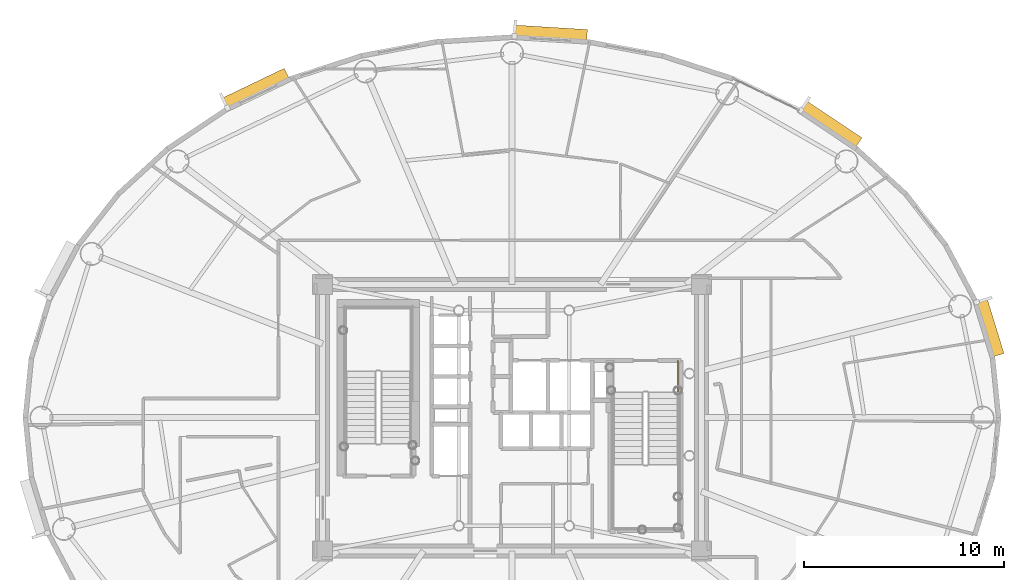
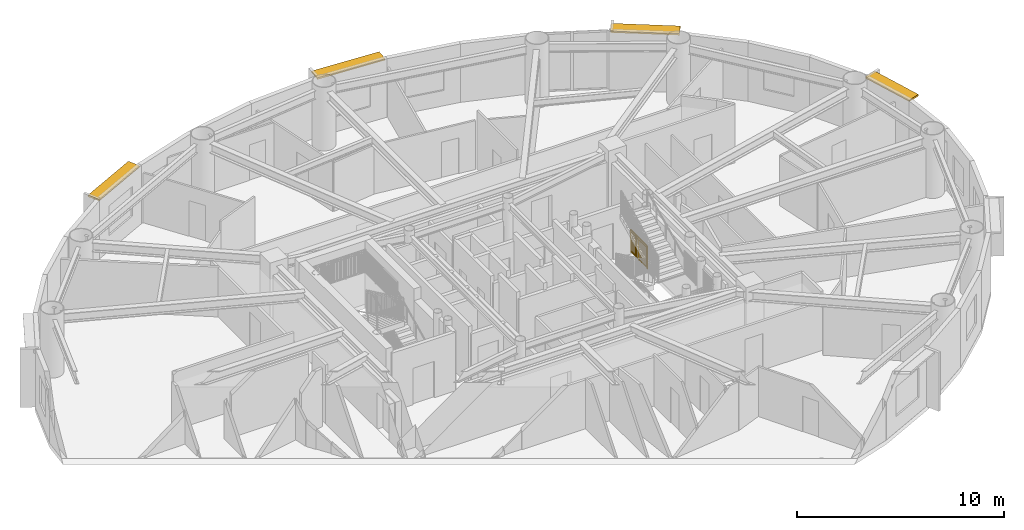
# One storey, part 18 of 18: 4 shading devices, 1 railing.
"""IFC4 building model written with IfcOpenShell, lengths in metres."""

import ifcopenshell
import ifcopenshell.guid

model = None  # the IFC model being written
_history = None  # IfcOwnerHistory: only IFC2X3 demands one
_inside = {}  # id of a spatial element -> (the spatial element, [elements in it])
_under = {}  # id of a project, library or spatial element -> (it, [spatial elements below it])
_declared = {}  # id of a project -> (the project, [libraries it declares])
_typed = {}  # id of a type object -> (the type object, [elements of that type])
_made_of = {}  # id of a material, layer set ... -> (it, [elements and type objects made of it])


def new_model(schema):
    """Start an empty IFC model of exactly this schema.

    Asked for "IFC4X3", IfcOpenShell would pick the latest addendum, in which some entities
    have other attributes; the version numbers below select the first issue.
    IFC2X3 requires an IfcOwnerHistory on every rooted entity: one is made here for all.
    """
    global model, _history
    if schema == "IFC4X3":
        model = ifcopenshell.file(schema_version=(4, 3, 0, 0))
    else:
        model = ifcopenshell.file(schema=schema)
    _inside.clear()
    _under.clear()
    _declared.clear()
    _typed.clear()
    _made_of.clear()
    _history = None
    if model.schema == "IFC2X3":
        org = make("IfcOrganization", Name="unknown")
        user = make(
            "IfcPersonAndOrganization",
            ThePerson=make("IfcPerson", FamilyName="unknown"),
            TheOrganization=org,
        )
        app = make(
            "IfcApplication",
            ApplicationDeveloper=org,
            Version="unknown",
            ApplicationFullName="unknown",
            ApplicationIdentifier="unknown",
        )
        _history = make(
            "IfcOwnerHistory",
            OwningUser=user,
            OwningApplication=app,
            ChangeAction="ADDED",
            CreationDate=0,
        )
    return model


def make(cls, **values):
    """One entity of the class cls with the attributes given. An attribute that is None is left unset."""
    return model.create_entity(
        cls, **{name: value for name, value in values.items() if value is not None}
    )


def rooted(cls, **values):
    """An entity with a GlobalId (a new one), such as an element, a storey or a relation."""
    return make(cls, GlobalId=ifcopenshell.guid.new(), OwnerHistory=_history, **values)


def si_unit(unit_type, name, prefix=None):
    """IfcSIUnit, for example si_unit("LENGTHUNIT", "METRE", prefix="MILLI")."""
    return make("IfcSIUnit", UnitType=unit_type, Prefix=prefix, Name=name)


def assignment(units):
    """IfcUnitAssignment: the units of a project."""
    return None if units is None else make("IfcUnitAssignment", Units=units)


def point(xyz):
    """IfcCartesianPoint."""
    return None if xyz is None else make("IfcCartesianPoint", Coordinates=xyz)


def direction(xyz):
    """IfcDirection."""
    return None if xyz is None else make("IfcDirection", DirectionRatios=xyz)


def frame(location, z_axis=None, x_axis=None):
    """IfcAxis2Placement3D, a coordinate frame: its origin and axes. An axis left out is left unset."""
    return make(
        "IfcAxis2Placement3D",
        Location=point(location),
        Axis=direction(z_axis),
        RefDirection=direction(x_axis),
    )


def frame_2d(location, x_axis=None):
    """IfcAxis2Placement2D, a coordinate frame in the plane: its origin and x axis."""
    return make(
        "IfcAxis2Placement2D", Location=point(location), RefDirection=direction(x_axis)
    )


def origin():
    """The frame at (0, 0, 0) with its axes left unset."""
    return frame((0.0, 0.0, 0.0))


def origin_2d():
    """The frame at (0, 0) in the plane with its x axis left unset."""
    return frame_2d((0.0, 0.0))


def place(relative_to, where):
    """IfcLocalPlacement: puts the frame where relative to a parent placement (None: the world)."""
    return make(
        "IfcLocalPlacement", PlacementRelTo=relative_to, RelativePlacement=where
    )


def context(
    kind, dimensions, precision=None, world=None, true_north=None, identifier=None
):
    """IfcGeometricRepresentationContext, for example the 3D "Model" context."""
    return make(
        "IfcGeometricRepresentationContext",
        ContextIdentifier=identifier,
        ContextType=kind,
        CoordinateSpaceDimension=dimensions,
        Precision=precision,
        WorldCoordinateSystem=world,
        TrueNorth=true_north,
    )


def subcontext(parent, identifier, kind, view, scale=None):
    """IfcGeometricRepresentationSubContext, for example "Body" below "Model"."""
    return make(
        "IfcGeometricRepresentationSubContext",
        ContextIdentifier=identifier,
        ContextType=kind,
        ParentContext=parent,
        TargetScale=scale,
        TargetView=view,
    )


def project(units=None, contexts=None):
    """IfcProject with its units and contexts."""
    return rooted(
        "IfcProject",
        Name="project",
        RepresentationContexts=contexts,
        UnitsInContext=assignment(units),
    )


def spatial(cls, under=None, at=None, **own):
    """A site, building, storey or space (cls), placed at a placement, below another one or the project."""
    s = rooted(cls, ObjectPlacement=at, **own)
    if under is not None:
        _under.setdefault(under.id(), (under, []))[1].append(s)
    return s


def profile(cls, at=None, kind="AREA", **sizes):
    """A parametric profile (cls). Its sizes go by their IFC names, for example OverallWidth=200.0."""
    return make(cls, ProfileType=kind, Position=at, **sizes)


def rectangle(**sizes):
    """IfcRectangleProfileDef."""
    return profile("IfcRectangleProfileDef", **sizes)


def extrude(swept, where, along, depth):
    """IfcExtrudedAreaSolid: the profile swept, set in the frame where, extruded along a direction by depth."""
    return make(
        "IfcExtrudedAreaSolid",
        SweptArea=swept,
        Position=where,
        ExtrudedDirection=direction(along),
        Depth=depth,
    )


def shape(context_of_items, identifier, shape_type, items):
    """IfcShapeRepresentation: the items that make up one representation, for example the "Body"."""
    return make(
        "IfcShapeRepresentation",
        ContextOfItems=context_of_items,
        RepresentationIdentifier=identifier,
        RepresentationType=shape_type,
        Items=items,
    )


def source(mapping_origin, context_of_items, identifier, shape_type, items):
    """IfcRepresentationMap: a shape defined once, which mapped items show again and again."""
    return make(
        "IfcRepresentationMap",
        MappingOrigin=mapping_origin,
        MappedRepresentation=shape(context_of_items, identifier, shape_type, items),
    )


def transform(
    local_origin,
    x_axis=None,
    y_axis=None,
    z_axis=None,
    scale=None,
    scale2=None,
    scale3=None,
    uniform=True,
):
    """IfcCartesianTransformationOperator3D, or its non-uniform kind. x_axis, y_axis, z_axis: its Axis1, 2, 3."""
    if uniform:
        return make(
            "IfcCartesianTransformationOperator3D",
            Axis1=direction(x_axis),
            Axis2=direction(y_axis),
            LocalOrigin=point(local_origin),
            Scale=scale,
            Axis3=direction(z_axis),
        )
    return make(
        "IfcCartesianTransformationOperator3DnonUniform",
        Axis1=direction(x_axis),
        Axis2=direction(y_axis),
        LocalOrigin=point(local_origin),
        Scale=scale,
        Axis3=direction(z_axis),
        Scale2=scale2,
        Scale3=scale3,
    )


def mapped(mapping_source, mapping_target):
    """IfcMappedItem: shows the shape of a source again, moved by a transform."""
    return make(
        "IfcMappedItem", MappingSource=mapping_source, MappingTarget=mapping_target
    )


def material(Name=None, Category=None):
    """IfcMaterial."""
    return make("IfcMaterial", Name=Name, Category=Category)


def layer(
    of_material, thickness, ventilated=None, Name=None, Category=None, Priority=None
):
    """IfcMaterialLayer: one layer of a wall or slab, of a material (None: an air gap)."""
    return make(
        "IfcMaterialLayer",
        Material=of_material,
        LayerThickness=thickness,
        IsVentilated=ventilated,
        Name=Name,
        Category=Category,
        Priority=Priority,
    )


def layer_set(layers, Name=None):
    """IfcMaterialLayerSet."""
    return make("IfcMaterialLayerSet", MaterialLayers=layers, LayerSetName=Name)


def made_of(thing, what):
    """Note that an element or type object is made of a material, layer set ...; save() writes the relation."""
    if what is not None:
        _made_of.setdefault(what.id(), (what, []))[1].append(thing)
    return thing


def type_object(cls, material=None, **own):
    """A type object (cls), such as IfcWallType, which elements share."""
    return made_of(rooted(cls, **own), material)


def element(
    cls,
    number,
    at=None,
    inside=None,
    cuts=None,
    type_object=None,
    material=None,
    context=None,
    identifier="Body",
    shape_type=None,
    held_by="IfcProductDefinitionShape",
    body=None,
    shapes=None,
    **own,
):
    """One element of the class cls, such as IfcWall. Its Tag is "e" and its number.

    at: its placement. inside: the storey or other place that contains it. cuts: it is an
    opening in that element (IfcRelVoidsElement). A single representation is given by context,
    identifier, shape_type and body (its items); several are given by shapes. held_by: the class
    of the entity that holds the representations. save() writes the other relations.
    """
    e = rooted(cls, Tag="e%d" % number, ObjectPlacement=at, **own)
    if body is not None:
        shapes = [shape(context, identifier, shape_type, body)]
    if shapes is not None:
        e.Representation = make(held_by, Representations=shapes)
    if inside is not None:
        _inside.setdefault(inside.id(), (inside, []))[1].append(e)
    if cuts is not None:
        rooted(
            "IfcRelVoidsElement", RelatingBuildingElement=cuts, RelatedOpeningElement=e
        )
    if type_object is not None:
        _typed.setdefault(type_object.id(), (type_object, []))[1].append(e)
    return made_of(e, material)


def aggregate(whole, parts):
    """IfcRelAggregates: a whole, such as a stair, and the parts it consists of."""
    return rooted("IfcRelAggregates", RelatingObject=whole, RelatedObjects=parts)


def save(model, path):
    """Write the relations noted so far, then the file.

    IfcRelAggregates (storeys below a building ...), IfcRelContainedInSpatialStructure (elements
    in a storey), IfcRelDefinesByType, IfcRelAssociatesMaterial and IfcRelDeclares: one each for
    every whole, place, type object, material and project.
    """
    for whole, parts in _under.values():
        aggregate(whole, parts)
    for where, things in _inside.values():
        rooted(
            "IfcRelContainedInSpatialStructure",
            RelatedElements=things,
            RelatingStructure=where,
        )
    for kind, things in _typed.values():
        rooted("IfcRelDefinesByType", RelatedObjects=things, RelatingType=kind)
    for what, things in _made_of.values():
        rooted("IfcRelAssociatesMaterial", RelatedObjects=things, RelatingMaterial=what)
    for by, libraries in _declared.values():
        rooted("IfcRelDeclares", RelatingContext=by, RelatedDefinitions=libraries)
    model.write(path)


model = new_model("IFC4")

# Units and contexts
model_context = context("Model", 3, precision=1e-05, world=origin(), true_north=direction((0.0, 1.0)))
body_context = subcontext(model_context, "Body", "Model", "MODEL_VIEW")
ifc_project = project(units=[si_unit("LENGTHUNIT", "METRE"), si_unit("AREAUNIT", "SQUARE_METRE"), si_unit("VOLUMEUNIT", "CUBIC_METRE"), si_unit("PLANEANGLEUNIT", "RADIAN"), si_unit("MASSUNIT", "GRAM", prefix="KILO")], contexts=[model_context])

# Site, building, storey
site_placement = place(None, origin())
site = spatial("IfcSite", under=ifc_project, at=site_placement, CompositionType="ELEMENT")
building_placement = place(site_placement, origin())
building = spatial("IfcBuilding", under=site, at=building_placement, Name="Linh Dai School and Residence Tower", CompositionType="ELEMENT")
storey_placement = place(building_placement, frame((0.0, 0.0, 259.050048828125)))
storey = spatial("IfcBuildingStorey", under=building, at=storey_placement, Name="L64", CompositionType="ELEMENT", Elevation=259.050048828125)

# Shading devices
ifc_material_1 = material(Name="Terracotta Ceramic Sunshade", Category="masonry")
ifc_layer = layer(ifc_material_1, 0.10009765625)
ifc_layer_set = layer_set([ifc_layer], Name="Terracotta Ceramic Sunshade")
shading_device_type = type_object("IfcShadingDeviceType", Name="SHD-TC-650", PredefinedType="USERDEFINED", material=ifc_layer_set)
shared_shape_1 = source(origin(), body_context, "Body", "SweptSolid", [
    extrude(rectangle(XDim=2.90380859375, YDim=0.64990234375, at=origin_2d()), origin(), (0.0, 0.0, 1.0), 0.10009765625),
])
shading_device_1_placement = place(storey_placement, frame((59.80615234375, 31.493408203125, 3.329833984375), z_axis=(0.0, 0.0, 1.0), x_axis=(0.2931574026, -0.956064190994, 0.0)))
element("IfcShadingDevice", 1, at=shading_device_1_placement, inside=storey, type_object=shading_device_type, Name="L64 Terracotta Horizontal Sunshade Band 02", ObjectType="SUNSHADE", PredefinedType="USERDEFINED", context=body_context, shape_type="MappedRepresentation", body=[
    mapped(shared_shape_1, transform((0.0, 0.0, 0.0), x_axis=(1.0, 0.0, 0.0), y_axis=(0.0, 1.0, 0.0), z_axis=(0.0, 0.0, 1.0), scale=1.0)),
])
shared_shape_2 = source(origin(), body_context, "Body", "SweptSolid", [
    extrude(rectangle(XDim=3.3447265625, YDim=0.64990234375, at=origin_2d()), origin(), (0.0, 0.0, 1.0), 0.10009765625),
])
shading_device_2_placement = place(storey_placement, frame((51.88671875, 41.6162109375, 3.329833984375), z_axis=(0.0, 0.0, 1.0), x_axis=(0.831257719597, -0.555887222025, 0.0)))
element("IfcShadingDevice", 2, at=shading_device_2_placement, inside=storey, type_object=shading_device_type, Name="L64 Terracotta Horizontal Sunshade Band 06", ObjectType="SUNSHADE", PredefinedType="USERDEFINED", context=body_context, shape_type="MappedRepresentation", body=[
    mapped(shared_shape_2, transform((0.0, 0.0, 0.0), x_axis=(1.0, 0.0, 0.0), y_axis=(0.0, 1.0, 0.0), z_axis=(0.0, 0.0, 1.0), scale=1.0)),
])
shared_shape_3 = source(origin(), body_context, "Body", "SweptSolid", [
    extrude(rectangle(XDim=3.656494140625, YDim=0.64990234375, at=origin_2d()), origin(), (0.0, 0.0, 1.0), 0.10009765625),
])
shading_device_3_placement = place(storey_placement, frame((37.91845703125, 46.147216796875, 3.329833984375), z_axis=(0.0, 0.0, 1.0), x_axis=(0.998106809974, -0.061504437922, 0.0)))
element("IfcShadingDevice", 3, at=shading_device_3_placement, inside=storey, type_object=shading_device_type, Name="L64 Terracotta Horizontal Sunshade Band 10", ObjectType="SUNSHADE", PredefinedType="USERDEFINED", context=body_context, shape_type="MappedRepresentation", body=[
    mapped(shared_shape_3, transform((0.0, 0.0, 0.0), x_axis=(1.0, 0.0, 0.0), y_axis=(0.0, 1.0, 0.0), z_axis=(0.0, 0.0, 1.0), scale=1.0)),
])
shared_shape_4 = source(origin(), body_context, "Body", "SweptSolid", [
    extrude(rectangle(XDim=3.459716796875, YDim=0.64990234375, at=origin_2d()), origin(), (0.0, 0.0, 1.0), 0.10009765625),
])
shading_device_4_placement = place(storey_placement, frame((23.22119140625, 43.384033203125, 3.329833984375), z_axis=(0.0, 0.0, 1.0), x_axis=(0.901588864931, 0.432593941973, 0.0)))
element("IfcShadingDevice", 4, at=shading_device_4_placement, inside=storey, type_object=shading_device_type, Name="L64 Terracotta Horizontal Sunshade Band 14", ObjectType="SUNSHADE", PredefinedType="USERDEFINED", context=body_context, shape_type="MappedRepresentation", body=[
    mapped(shared_shape_4, transform((0.0, 0.0, 0.0), x_axis=(1.0, 0.0, 0.0), y_axis=(0.0, 1.0, 0.0), z_axis=(0.0, 0.0, 1.0), scale=1.0)),
])

# Railing
ifc_material_2 = material(Name="Structural Steel S355JR", Category="steel")
railing_type = type_object("IfcRailingType", Name="RL-ST-GUARD-1400", PredefinedType="GUARDRAIL", material=ifc_material_2)
shared_shape_5 = source(origin(), body_context, "Body", "SweptSolid", [
    extrude(rectangle(XDim=0.048095703125, YDim=0.048095703125, at=origin_2d()), frame((0.0, 0.0, 1.3759765625), z_axis=(0.0, -1.0, 0.0), x_axis=(1.0, 0.0, 0.0)), (0.0, 0.0, 1.0), 1.60009765625),
    extrude(rectangle(XDim=0.048095703125, YDim=0.048095703125, at=origin_2d()), frame((0.0, 0.0, 0.10009765625), z_axis=(0.0, -1.0, 0.0), x_axis=(1.0, 0.0, 0.0)), (0.0, 0.0, 1.0), 1.60009765625),
    extrude(rectangle(XDim=0.030029296875, YDim=0.030029296875, at=origin_2d()), frame((0.0, 0.0, 1.239990234375), z_axis=(0.0, -1.0, 0.0), x_axis=(1.0, 0.0, 0.0)), (0.0, 0.0, 1.0), 1.60009765625),
    extrude(rectangle(XDim=0.02001953125, YDim=0.02001953125, at=origin_2d()), frame((0.0, -0.09423828125, 0.10009765625)), (0.0, 0.0, 1.0), 1.251708984375),
    extrude(rectangle(XDim=0.02001953125, YDim=0.02001953125, at=origin_2d()), frame((0.0, -0.188232421875, 0.10009765625)), (0.0, 0.0, 1.0), 1.251708984375),
    extrude(rectangle(XDim=0.02001953125, YDim=0.02001953125, at=origin_2d()), frame((0.0, -0.282470703125, 0.10009765625)), (0.0, 0.0, 1.0), 1.251708984375),
    extrude(rectangle(XDim=0.02001953125, YDim=0.02001953125, at=origin_2d()), frame((0.0, -0.37646484375, 0.10009765625)), (0.0, 0.0, 1.0), 1.251708984375),
    extrude(rectangle(XDim=0.02001953125, YDim=0.02001953125, at=origin_2d()), frame((0.0, -0.470703125, 0.10009765625)), (0.0, 0.0, 1.0), 1.251708984375),
    extrude(rectangle(XDim=0.02001953125, YDim=0.02001953125, at=origin_2d()), frame((0.0, -0.564697265625, 0.10009765625)), (0.0, 0.0, 1.0), 1.251708984375),
    extrude(rectangle(XDim=0.02001953125, YDim=0.02001953125, at=origin_2d()), frame((0.0, -0.658935546875, 0.10009765625)), (0.0, 0.0, 1.0), 1.251708984375),
    extrude(rectangle(XDim=0.02001953125, YDim=0.02001953125, at=origin_2d()), frame((0.0, -0.7529296875, 0.10009765625)), (0.0, 0.0, 1.0), 1.251708984375),
    extrude(rectangle(XDim=0.02001953125, YDim=0.02001953125, at=origin_2d()), frame((0.0, -0.84716796875, 0.10009765625)), (0.0, 0.0, 1.0), 1.251708984375),
    extrude(rectangle(XDim=0.02001953125, YDim=0.02001953125, at=origin_2d()), frame((0.0, -0.941162109375, 0.10009765625)), (0.0, 0.0, 1.0), 1.251708984375),
    extrude(rectangle(XDim=0.02001953125, YDim=0.02001953125, at=origin_2d()), frame((0.0, -1.035400390625, 0.10009765625)), (0.0, 0.0, 1.0), 1.251708984375),
    extrude(rectangle(XDim=0.02001953125, YDim=0.02001953125, at=origin_2d()), frame((0.0, -1.12939453125, 0.10009765625)), (0.0, 0.0, 1.0), 1.251708984375),
    extrude(rectangle(XDim=0.02001953125, YDim=0.02001953125, at=origin_2d()), frame((0.0, -1.2236328125, 0.10009765625)), (0.0, 0.0, 1.0), 1.251708984375),
    extrude(rectangle(XDim=0.02001953125, YDim=0.02001953125, at=origin_2d()), frame((0.0, -1.317626953125, 0.10009765625)), (0.0, 0.0, 1.0), 1.251708984375),
    extrude(rectangle(XDim=0.02001953125, YDim=0.02001953125, at=origin_2d()), frame((0.0, -1.411865234375, 0.10009765625)), (0.0, 0.0, 1.0), 1.251708984375),
    extrude(rectangle(XDim=0.02001953125, YDim=0.02001953125, at=origin_2d()), frame((0.0, -1.505859375, 0.10009765625)), (0.0, 0.0, 1.0), 1.251708984375),
    extrude(rectangle(XDim=0.0419921875, YDim=0.0419921875, at=origin_2d()), origin(), (0.0, 0.0, 1.0), 1.3759765625),
    extrude(rectangle(XDim=0.0419921875, YDim=0.0419921875, at=origin_2d()), frame((0.0, -0.800048828125, 0.0)), (0.0, 0.0, 1.0), 1.3759765625),
    extrude(rectangle(XDim=0.0419921875, YDim=0.0419921875, at=origin_2d()), frame((0.0, -1.60009765625, 0.0)), (0.0, 0.0, 1.0), 1.3759765625),
])
railing_placement = place(storey_placement, frame((44.27001953125, 29.85009765625, 0.0)))
element("IfcRailing", 5, at=railing_placement, inside=storey, type_object=railing_type, Name="L64 ST2 stair guard 9", PredefinedType="GUARDRAIL", context=body_context, shape_type="MappedRepresentation", body=[
    mapped(shared_shape_5, transform((0.0, 0.0, 0.0), x_axis=(1.0, 0.0, 0.0), y_axis=(0.0, 1.0, 0.0), z_axis=(0.0, 0.0, 1.0), scale=1.0)),
])

save(model, "model.ifc")
